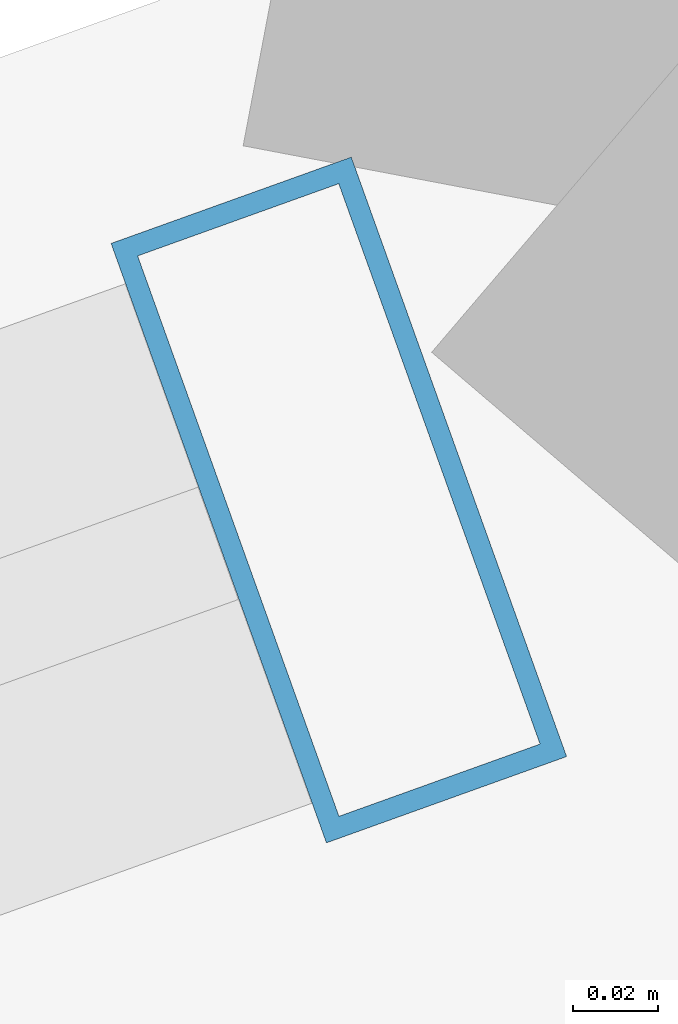
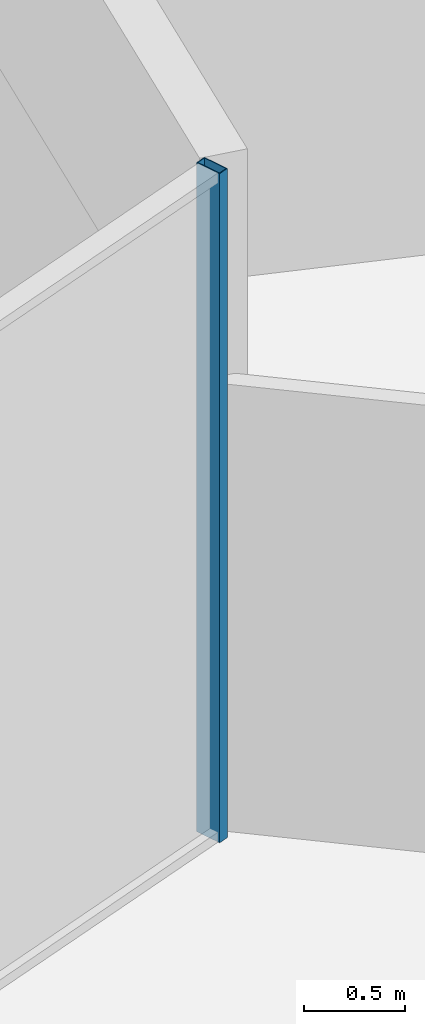
# One storey, part 13 of 28: 1 member, 1 element without a shape of its own.
"""IFC4 building model written with IfcOpenShell, lengths in metres."""

from ifc_helpers import new_model, si_unit, direction, frame, origin, origin_2d, place, context, subcontext, project, spatial, hollow_rectangle, extrude, material, layer, layer_set, material_profile, profile_set, type_object, element, aggregate, save


model = new_model("IFC4")

# Units and contexts
model_context = context("Model", 3, precision=1e-05, world=origin(), true_north=direction((0.0, 1.0)))
body_context = subcontext(model_context, "Body", "Model", "MODEL_VIEW")
ifc_project = project(units=[si_unit("LENGTHUNIT", "METRE"), si_unit("AREAUNIT", "SQUARE_METRE"), si_unit("VOLUMEUNIT", "CUBIC_METRE"), si_unit("PLANEANGLEUNIT", "RADIAN"), si_unit("MASSUNIT", "GRAM", prefix="KILO")], contexts=[model_context])

# Site, building, storey
site_placement = place(None, origin())
site = spatial("IfcSite", under=ifc_project, at=site_placement, CompositionType="ELEMENT")
building_placement = place(site_placement, origin())
building = spatial("IfcBuilding", under=site, at=building_placement, Name="Tarsis Ring Headquarters", CompositionType="ELEMENT")
storey_placement = place(building_placement, frame((0.0, 0.0, 365.0)))
storey = spatial("IfcBuildingStorey", under=building, at=storey_placement, Name="L86", CompositionType="ELEMENT", Elevation=365.0)

# Curtain wall, member
ifc_material_1 = material(Name="Aluminium curtain wall", Category="aluminium")
ifc_layer = layer(ifc_material_1, 0.14990234375)
ifc_layer_set = layer_set([ifc_layer], Name="Curtain wall tower unit")
curtain_wall_type = type_object("IfcCurtainWallType", Name="Curtain wall tower unit", PredefinedType="NOTDEFINED", material=ifc_layer_set)
curtain_wall_placement = place(storey_placement, origin())
curtain_wall = element("IfcCurtainWall", 1, at=curtain_wall_placement, inside=storey, type_object=curtain_wall_type, Name="Curtain wall L86-31", PredefinedType="NOTDEFINED")
ifc_material_2 = material(Name="Aluminium mullion", Category="aluminium")
ifc_material_profile = material_profile(ifc_material_2, hollow_rectangle(XDim=0.14990234375, YDim=0.06005859375, WallThickness=0.0048828125, at=origin_2d()), Name="RHS 150x60x5")
ifc_profile_set = profile_set([ifc_material_profile], Name="Aluminium mullion")
member_type = type_object("IfcMemberType", Name="Curtain wall mullion tower unit RHS 150x60x5", PredefinedType="MULLION", material=ifc_profile_set)
member_placement = place(storey_placement, frame((-25.546142578125, 3.44091796875, 0.0), z_axis=(0.0, 0.0, 1.0), x_axis=(0.338080946421, -0.941117035053, 0.0)))
member = element("IfcMember", 2, at=member_placement, type_object=member_type, Name="CW-T mullion 1", PredefinedType="MULLION", context=body_context, shape_type="SweptSolid", body=[
    extrude(hollow_rectangle(XDim=0.14990234375, YDim=0.06005859375, WallThickness=0.0048828125, at=origin_2d()), origin(), (0.0, 0.0, 1.0), 4.0400390625),
])
aggregate(curtain_wall, [member])

save(model, "model.ifc")
